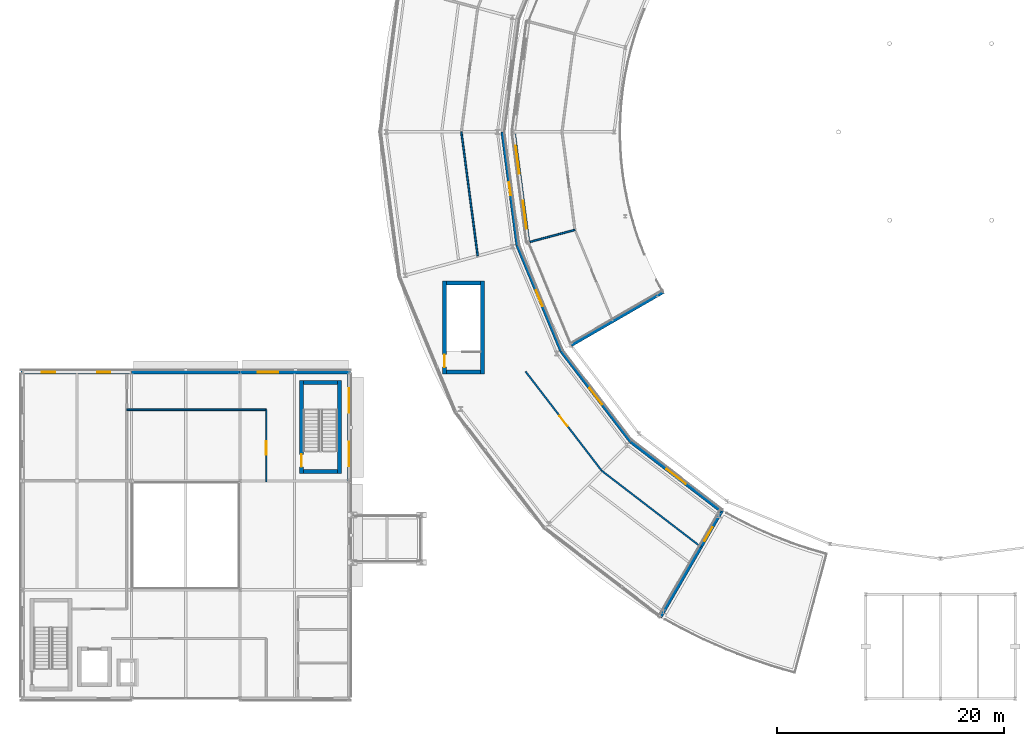
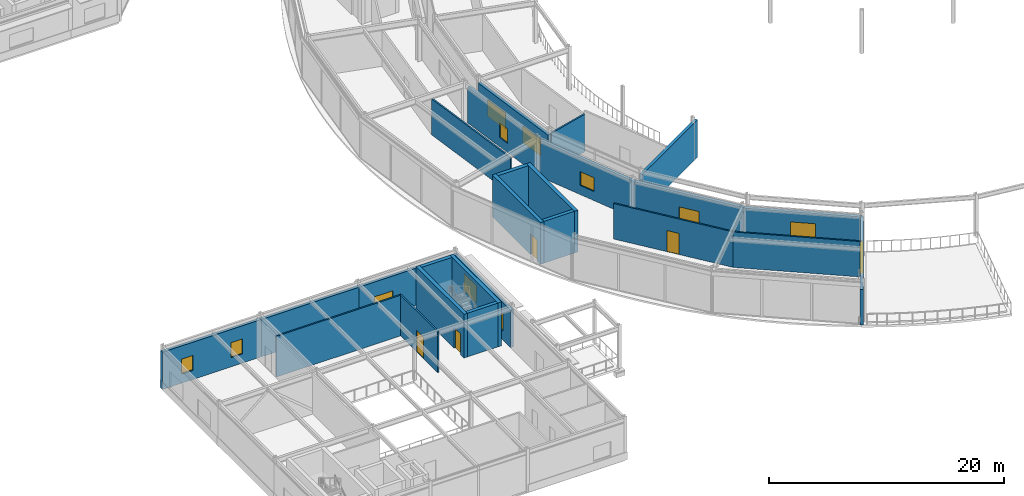
# One storey, part 117 of 157: 25 walls, 11 windows, 5 doors, 16 openings.
"""IFC4 building model written with IfcOpenShell, lengths in metres."""

from ifc_helpers import new_model, si_unit, direction, frame, frame_2d, origin, place, context, subcontext, project, spatial, rectangle, extrude, material, layer, layer_set, type_object, element, fill, save


model = new_model("IFC4")

# Units and contexts
model_context = context("Model", 3, precision=1e-05, world=origin(), true_north=direction((0.0, 1.0)))
body_context = subcontext(model_context, "Body", "Model", "MODEL_VIEW")
ifc_project = project(units=[si_unit("LENGTHUNIT", "METRE"), si_unit("AREAUNIT", "SQUARE_METRE"), si_unit("VOLUMEUNIT", "CUBIC_METRE"), si_unit("PLANEANGLEUNIT", "RADIAN"), si_unit("MASSUNIT", "GRAM", prefix="KILO")], contexts=[model_context])

# Site, building, storey
site_placement = place(None, origin())
site = spatial("IfcSite", under=ifc_project, at=site_placement, CompositionType="ELEMENT")
building_placement = place(site_placement, origin())
building = spatial("IfcBuilding", under=site, at=building_placement, Name="Almandine Court Research Institute", CompositionType="ELEMENT")
storey_placement = place(building_placement, frame((0.0, 0.0, 5.25)))
storey = spatial("IfcBuildingStorey", under=building, at=storey_placement, Name="L01", CompositionType="ELEMENT", Elevation=5.25)

# Wall, openings, windows
ifc_material_1 = material(Name="Acoustic Lecture Pavilion Masonry Wall", Category="masonry")
ifc_layer_1 = layer(ifc_material_1, 0.31005859375)
ifc_layer_set_1 = layer_set([ifc_layer_1], Name="Acoustic Lecture Pavilion Masonry Wall")
wall_type_1 = type_object("IfcWallType", Name="Wall-EXT-ACOU-310", PredefinedType="SOLIDWALL", material=ifc_layer_set_1)
wall_1_placement = place(storey_placement, frame((5.844970703125, 34.800048828125, 0.0), z_axis=(0.0, 0.0, 1.0), x_axis=(1.0, 0.0, 0.0)))
wall_1 = element("IfcWall", 1, at=wall_1_placement, inside=storey, type_object=wall_type_1, Name="L01 Lecture Pavilion North Wall 1", PredefinedType="SOLIDWALL", context=body_context, shape_type="SweptSolid", body=[
    extrude(rectangle(XDim=9.7509765625, YDim=0.31005859375, at=frame_2d((4.87548828125, 0.0))), origin(), (0.0, 0.0, 1.0), 3.884033203125),
])
opening_1_placement = place(wall_1_placement, frame((1.85791015625, 0.0, 0.949951171875)))
opening_1 = element("IfcOpeningElement", 2, at=opening_1_placement, cuts=wall_1, Name="Opening WN-08", PredefinedType="OPENING", context=body_context, shape_type="SweptSolid", body=[
    extrude(rectangle(XDim=1.159912109375, YDim=1.56005859375, at=frame_2d((0.580078125, 0.780029296875))), frame((0.0, 0.1650390625, 0.0), z_axis=(0.0, -1.0, 0.0), x_axis=(1.0, 0.0, 0.0)), (0.0, 0.0, 1.0), 0.330078125),
])
opening_2_placement = place(wall_1_placement, frame((6.73291015625, 0.0, 0.949951171875)))
opening_2 = element("IfcOpeningElement", 3, at=opening_2_placement, cuts=wall_1, Name="Opening WN-08", PredefinedType="OPENING", context=body_context, shape_type="SweptSolid", body=[
    extrude(rectangle(XDim=1.159912109375, YDim=1.56005859375, at=frame_2d((0.580078125, 0.780029296875))), frame((0.0, 0.1650390625, 0.0), z_axis=(0.0, -1.0, 0.0), x_axis=(1.0, 0.0, 0.0)), (0.0, 0.0, 1.0), 0.330078125),
])
ifc_material_2 = material(Name="Thermally Broken Low-E Double-Glazed Window", Category="glass")
window_type_1 = type_object("IfcWindowType", Name="Win-WN-08-1160x1560", PartitioningType="SINGLE_PANEL", PredefinedType="WINDOW", material=ifc_material_2)
window_1_placement = place(opening_1_placement, origin())
window_1 = element("IfcWindow", 4, at=window_1_placement, inside=storey, type_object=window_type_1, Name="L01 Modular Recessed Low-E Window 14", OverallHeight=1.56005859375, OverallWidth=1.159912109375, PartitioningType="SINGLE_PANEL", PredefinedType="WINDOW", context=body_context, shape_type="SweptSolid", body=[
    extrude(rectangle(XDim=1.159912109375, YDim=1.56005859375, at=frame_2d((0.580078125, 0.780029296875))), frame((0.0, 0.030029296875, 0.0), z_axis=(0.0, -1.0, 0.0), x_axis=(1.0, 0.0, 0.0)), (0.0, 0.0, 1.0), 0.06005859375),
])
fill(opening_1, window_1)
window_2_placement = place(opening_2_placement, origin())
window_2 = element("IfcWindow", 5, at=window_2_placement, inside=storey, type_object=window_type_1, Name="L01 Modular Recessed Low-E Window 15", OverallHeight=1.56005859375, OverallWidth=1.159912109375, PartitioningType="SINGLE_PANEL", PredefinedType="WINDOW", context=body_context, shape_type="SweptSolid", body=[
    extrude(rectangle(XDim=1.159912109375, YDim=1.56005859375, at=frame_2d((0.580078125, 0.780029296875))), frame((0.0, 0.030029296875, 0.0), z_axis=(0.0, -1.0, 0.0), x_axis=(1.0, 0.0, 0.0)), (0.0, 0.0, 1.0), 0.06005859375),
])
fill(opening_2, window_2)

# Wall
wall_2_placement = place(storey_placement, frame((15.60400390625, 34.800048828125, 0.0), z_axis=(0.0, 0.0, 1.0), x_axis=(1.0, 0.0, 0.0)))
element("IfcWall", 6, at=wall_2_placement, inside=storey, type_object=wall_type_1, Name="L01 Lecture Pavilion North Wall 2", PredefinedType="SOLIDWALL", context=body_context, shape_type="SweptSolid", body=[
    extrude(rectangle(XDim=9.592041015625, YDim=0.31005859375, at=frame_2d((4.7958984375, 0.0))), origin(), (0.0, 0.0, 1.0), 3.884033203125),
])

# Wall, opening, window
wall_3_placement = place(storey_placement, frame((25.2041015625, 34.800048828125, 0.0), z_axis=(0.0, 0.0, 1.0), x_axis=(1.0, 0.0, 0.0)))
wall_3 = element("IfcWall", 7, at=wall_3_placement, inside=storey, type_object=wall_type_1, Name="L01 Lecture Pavilion North Wall 3", PredefinedType="SOLIDWALL", context=body_context, shape_type="SweptSolid", body=[
    extrude(rectangle(XDim=9.7509765625, YDim=0.31005859375, at=frame_2d((4.87548828125, 0.0))), origin(), (0.0, 0.0, 1.0), 3.884033203125),
])
opening_3_placement = place(wall_3_placement, frame((1.528076171875, 0.0, 0.949951171875)))
opening_3 = element("IfcOpeningElement", 8, at=opening_3_placement, cuts=wall_3, Name="Opening WN-09", PredefinedType="OPENING", context=body_context, shape_type="SweptSolid", body=[
    extrude(rectangle(XDim=1.820068359375, YDim=1.39990234375, at=frame_2d((0.91015625, 0.699951171875))), frame((0.0, 0.1650390625, 0.0), z_axis=(0.0, -1.0, 0.0), x_axis=(1.0, 0.0, 0.0)), (0.0, 0.0, 1.0), 0.330078125),
])
window_type_2 = type_object("IfcWindowType", Name="Win-WN-09-1820x1400", PartitioningType="SINGLE_PANEL", PredefinedType="WINDOW", material=ifc_material_2)
window_3_placement = place(opening_3_placement, origin())
window_3 = element("IfcWindow", 9, at=window_3_placement, inside=storey, type_object=window_type_2, Name="L01 Modular Recessed Low-E Window 16", OverallHeight=1.39990234375, OverallWidth=1.820068359375, PartitioningType="SINGLE_PANEL", PredefinedType="WINDOW", context=body_context, shape_type="SweptSolid", body=[
    extrude(rectangle(XDim=1.820068359375, YDim=1.39990234375, at=frame_2d((0.91015625, 0.699951171875))), frame((0.0, 0.030029296875, 0.0), z_axis=(0.0, -1.0, 0.0), x_axis=(1.0, 0.0, 0.0)), (0.0, 0.0, 1.0), 0.06005859375),
])
fill(opening_3, window_3)

# Wall, openings, windows
ifc_material_3 = material(Name="Insulated Ochre Terracotta Rainscreen Wall", Category="masonry")
ifc_layer_2 = layer(ifc_material_3, 0.2900390625)
ifc_layer_set_2 = layer_set([ifc_layer_2], Name="Insulated Ochre Terracotta Rainscreen Wall")
wall_type_2 = type_object("IfcWallType", Name="Wall-EXT-TERR-290", PredefinedType="SOLIDWALL", material=ifc_layer_set_2)
wall_4_placement = place(storey_placement, frame((34.800048828125, 34.65087890625, 0.0), z_axis=(0.0, 0.0, 1.0), x_axis=(0.0, -1.0, 0.0)))
wall_4 = element("IfcWall", 10, at=wall_4_placement, inside=storey, type_object=wall_type_2, Name="L01 Lecture Pavilion East Wall 3", PredefinedType="SOLIDWALL", context=body_context, shape_type="SweptSolid", body=[
    extrude(rectangle(XDim=9.44677734375, YDim=0.2900390625, at=frame_2d((4.723388671875, 0.0))), origin(), (0.0, 0.0, 1.0), 3.884033203125),
])
opening_4_placement = place(wall_4_placement, frame((1.287109375, 0.0, 0.949951171875)))
opening_4 = element("IfcOpeningElement", 11, at=opening_4_placement, cuts=wall_4, Name="Opening WN-10", PredefinedType="OPENING", context=body_context, shape_type="SweptSolid", body=[
    extrude(rectangle(XDim=2.14990234375, YDim=1.800048828125, at=frame_2d((1.074951171875, 0.89990234375))), frame((0.0, 0.155029296875, 0.0), z_axis=(0.0, -1.0, 0.0), x_axis=(1.0, 0.0, 0.0)), (0.0, 0.0, 1.0), 0.31005859375),
])
opening_5_placement = place(wall_4_placement, frame((6.010009765625, 0.0, 0.949951171875)))
opening_5 = element("IfcOpeningElement", 12, at=opening_5_placement, cuts=wall_4, Name="Opening WN-10", PredefinedType="OPENING", context=body_context, shape_type="SweptSolid", body=[
    extrude(rectangle(XDim=2.14990234375, YDim=1.800048828125, at=frame_2d((1.074951171875, 0.89990234375))), frame((0.0, 0.155029296875, 0.0), z_axis=(0.0, -1.0, 0.0), x_axis=(1.0, 0.0, 0.0)), (0.0, 0.0, 1.0), 0.31005859375),
])
window_type_3 = type_object("IfcWindowType", Name="Win-WN-10-2150x1800", PartitioningType="SINGLE_PANEL", PredefinedType="WINDOW", material=ifc_material_2)
window_4_placement = place(opening_4_placement, origin())
window_4 = element("IfcWindow", 13, at=window_4_placement, inside=storey, type_object=window_type_3, Name="L01 Modular Recessed Low-E Window 17", OverallHeight=1.800048828125, OverallWidth=2.14990234375, PartitioningType="SINGLE_PANEL", PredefinedType="WINDOW", context=body_context, shape_type="SweptSolid", body=[
    extrude(rectangle(XDim=2.14990234375, YDim=1.800048828125, at=frame_2d((1.074951171875, 0.89990234375))), frame((0.0, 0.030029296875, 0.0), z_axis=(0.0, -1.0, 0.0), x_axis=(1.0, 0.0, 0.0)), (0.0, 0.0, 1.0), 0.06005859375),
])
fill(opening_4, window_4)
window_5_placement = place(opening_5_placement, origin())
window_5 = element("IfcWindow", 14, at=window_5_placement, inside=storey, type_object=window_type_3, Name="L01 Modular Recessed Low-E Window 18", OverallHeight=1.800048828125, OverallWidth=2.14990234375, PartitioningType="SINGLE_PANEL", PredefinedType="WINDOW", context=body_context, shape_type="SweptSolid", body=[
    extrude(rectangle(XDim=2.14990234375, YDim=1.800048828125, at=frame_2d((1.074951171875, 0.89990234375))), frame((0.0, 0.030029296875, 0.0), z_axis=(0.0, -1.0, 0.0), x_axis=(1.0, 0.0, 0.0)), (0.0, 0.0, 1.0), 0.06005859375),
])
fill(opening_5, window_5)

# Wall, opening, window
wall_5_placement = place(storey_placement, frame((48.341064453125, 55.993896484375, 0.0), z_axis=(0.0, 0.0, 1.0), x_axis=(0.130450126879, -0.991454872597, 0.0)))
wall_5 = element("IfcWall", 15, at=wall_5_placement, inside=storey, type_object=wall_type_2, Name="L01 Drum Inner Gallery Wall 12", PredefinedType="SOLIDWALL", context=body_context, shape_type="SweptSolid", body=[
    extrude(rectangle(XDim=10.080078125, YDim=0.2900390625, at=frame_2d((5.0400390625, 0.0))), origin(), (0.0, 0.0, 1.0), 3.73193359375),
])
opening_6_placement = place(wall_5_placement, frame((4.4599609375, 0.0, 0.949951171875)))
opening_6 = element("IfcOpeningElement", 16, at=opening_6_placement, cuts=wall_5, Name="Opening WN-100", PredefinedType="OPENING", context=body_context, shape_type="SweptSolid", body=[
    extrude(rectangle(XDim=1.159912109375, YDim=1.510009765625, at=frame_2d((0.580078125, 0.7548828125))), frame((0.0, 0.155029296875, 0.0), z_axis=(0.0, -1.0, 0.0), x_axis=(1.0, 0.0, 0.0)), (0.0, 0.0, 1.0), 0.31005859375),
])
window_type_4 = type_object("IfcWindowType", Name="Win-WN-100-1160x1510", PartitioningType="SINGLE_PANEL", PredefinedType="WINDOW", material=ifc_material_2)
window_6_placement = place(opening_6_placement, origin())
window_6 = element("IfcWindow", 17, at=window_6_placement, inside=storey, type_object=window_type_4, Name="L01 Modular Recessed Low-E Window 254", OverallHeight=1.510009765625, OverallWidth=1.159912109375, PartitioningType="SINGLE_PANEL", PredefinedType="WINDOW", context=body_context, shape_type="SweptSolid", body=[
    extrude(rectangle(XDim=1.159912109375, YDim=1.510009765625, at=frame_2d((0.580078125, 0.7548828125))), frame((0.0, 0.030029296875, 0.0), z_axis=(0.0, -1.0, 0.0), x_axis=(1.0, 0.0, 0.0)), (0.0, 0.0, 1.0), 0.06005859375),
])
fill(opening_6, window_6)

wall_6_placement = place(storey_placement, frame((49.658935546875, 45.988037109375, 0.0), z_axis=(0.0, 0.0, 1.0), x_axis=(0.382733240508, -0.92385889973, 0.0)))
wall_6 = element("IfcWall", 18, at=wall_6_placement, inside=storey, type_object=wall_type_2, Name="L01 Drum Inner Gallery Wall 13", PredefinedType="SOLIDWALL", context=body_context, shape_type="SweptSolid", body=[
    extrude(rectangle(XDim=10.08056640625, YDim=0.2900390625, at=frame_2d((5.040283203125, 0.0))), origin(), (0.0, 0.0, 1.0), 3.81494140625),
])
opening_7_placement = place(wall_6_placement, frame((4.294921875, 0.0, 0.949951171875)))
opening_7 = element("IfcOpeningElement", 19, at=opening_7_placement, cuts=wall_6, Name="Opening WN-32", PredefinedType="OPENING", context=body_context, shape_type="SweptSolid", body=[
    extrude(rectangle(XDim=1.489990234375, YDim=1.429931640625, at=frame_2d((0.7451171875, 0.71484375))), frame((0.0, 0.155029296875, 0.0), z_axis=(0.0, -1.0, 0.0), x_axis=(1.0, 0.0, 0.0)), (0.0, 0.0, 1.0), 0.31005859375),
])
window_type_5 = type_object("IfcWindowType", Name="Win-WN-32-1490x1430", PartitioningType="SINGLE_PANEL", PredefinedType="WINDOW", material=ifc_material_2)
window_7_placement = place(opening_7_placement, origin())
window_7 = element("IfcWindow", 20, at=window_7_placement, inside=storey, type_object=window_type_5, Name="L01 Modular Recessed Low-E Window 255", OverallHeight=1.429931640625, OverallWidth=1.489990234375, PartitioningType="SINGLE_PANEL", PredefinedType="WINDOW", context=body_context, shape_type="SweptSolid", body=[
    extrude(rectangle(XDim=1.489990234375, YDim=1.429931640625, at=frame_2d((0.7451171875, 0.71484375))), frame((0.0, 0.030029296875, 0.0), z_axis=(0.0, -1.0, 0.0), x_axis=(1.0, 0.0, 0.0)), (0.0, 0.0, 1.0), 0.06005859375),
])
fill(opening_7, window_7)

wall_7_placement = place(storey_placement, frame((53.52294921875, 36.6650390625, 0.0), z_axis=(0.0, 0.0, 1.0), x_axis=(0.608737604027, -0.793371621275, 0.0)))
wall_7 = element("IfcWall", 21, at=wall_7_placement, inside=storey, type_object=wall_type_2, Name="L01 Drum Inner Gallery Wall 14", PredefinedType="SOLIDWALL", context=body_context, shape_type="SweptSolid", body=[
    extrude(rectangle(XDim=10.079833984375, YDim=0.2900390625, at=frame_2d((5.0400390625, 0.0))), origin(), (0.0, 0.0, 1.0), 3.81494140625),
])
opening_8_placement = place(wall_7_placement, frame((4.1298828125, 0.0, 0.949951171875)))
opening_8 = element("IfcOpeningElement", 22, at=opening_8_placement, cuts=wall_7, Name="Opening WN-116", PredefinedType="OPENING", context=body_context, shape_type="SweptSolid", body=[
    extrude(rectangle(XDim=1.820068359375, YDim=1.35009765625, at=frame_2d((0.91015625, 0.675048828125))), frame((0.0, 0.155029296875, 0.0), z_axis=(0.0, -1.0, 0.0), x_axis=(1.0, 0.0, 0.0)), (0.0, 0.0, 1.0), 0.31005859375),
])
window_type_6 = type_object("IfcWindowType", Name="Win-WN-116-1820x1350", PartitioningType="SINGLE_PANEL", PredefinedType="WINDOW", material=ifc_material_2)
window_8_placement = place(opening_8_placement, origin())
window_8 = element("IfcWindow", 23, at=window_8_placement, inside=storey, type_object=window_type_6, Name="L01 Modular Recessed Low-E Window 256", OverallHeight=1.35009765625, OverallWidth=1.820068359375, PartitioningType="SINGLE_PANEL", PredefinedType="WINDOW", context=body_context, shape_type="SweptSolid", body=[
    extrude(rectangle(XDim=1.820068359375, YDim=1.35009765625, at=frame_2d((0.91015625, 0.675048828125))), frame((0.0, 0.030029296875, 0.0), z_axis=(0.0, -1.0, 0.0), x_axis=(1.0, 0.0, 0.0)), (0.0, 0.0, 1.0), 0.06005859375),
])
fill(opening_8, window_8)

wall_8_placement = place(storey_placement, frame((59.66796875, 28.658935546875, 0.0), z_axis=(0.0, 0.0, 1.0), x_axis=(0.793371621275, -0.608737604027, 0.0)))
wall_8 = element("IfcWall", 24, at=wall_8_placement, inside=storey, type_object=wall_type_2, Name="L01 Drum Inner Gallery Wall 15", PredefinedType="SOLIDWALL", context=body_context, shape_type="SweptSolid", body=[
    extrude(rectangle(XDim=10.079833984375, YDim=0.2900390625, at=frame_2d((5.0400390625, 0.0))), origin(), (0.0, 0.0, 1.0), 3.76806640625),
])
opening_9_placement = place(wall_8_placement, frame((3.965087890625, 0.0, 0.949951171875)))
opening_9 = element("IfcOpeningElement", 25, at=opening_9_placement, cuts=wall_8, Name="Opening WN-101", PredefinedType="OPENING", context=body_context, shape_type="SweptSolid", body=[
    extrude(rectangle(XDim=2.14990234375, YDim=1.75, at=frame_2d((1.074951171875, 0.875))), frame((0.0, 0.155029296875, 0.0), z_axis=(0.0, -1.0, 0.0), x_axis=(1.0, 0.0, 0.0)), (0.0, 0.0, 1.0), 0.31005859375),
])
window_type_7 = type_object("IfcWindowType", Name="Win-WN-101-2150x1750", PartitioningType="SINGLE_PANEL", PredefinedType="WINDOW", material=ifc_material_2)
window_9_placement = place(opening_9_placement, origin())
window_9 = element("IfcWindow", 26, at=window_9_placement, inside=storey, type_object=window_type_7, Name="L01 Modular Recessed Low-E Window 257", OverallHeight=1.75, OverallWidth=2.14990234375, PartitioningType="SINGLE_PANEL", PredefinedType="WINDOW", context=body_context, shape_type="SweptSolid", body=[
    extrude(rectangle(XDim=2.14990234375, YDim=1.75, at=frame_2d((1.074951171875, 0.875))), frame((0.0, 0.030029296875, 0.0), z_axis=(0.0, -1.0, 0.0), x_axis=(1.0, 0.0, 0.0)), (0.0, 0.0, 1.0), 0.06005859375),
])
fill(opening_9, window_9)

# Wall, opening, door
wall_9_placement = place(storey_placement, frame((62.261962890625, 13.153076171875, 0.0), z_axis=(0.0, 0.0, 1.0), x_axis=(0.500037643518, 0.866003669198, 0.0)))
wall_9 = element("IfcWall", 27, at=wall_9_placement, inside=storey, type_object=wall_type_2, Name="L01 Drum Radial End Wall END", PredefinedType="SOLIDWALL", context=body_context, shape_type="SweptSolid", body=[
    extrude(rectangle(XDim=10.951416015625, YDim=0.2900390625, at=frame_2d((5.4755859375, 0.0))), origin(), (0.0, 0.0, 1.0), 3.68505859375),
])
opening_10_placement = place(wall_9_placement, frame((7.800048828125, 0.0, 0.0)))
opening_10 = element("IfcOpeningElement", 28, at=opening_10_placement, cuts=wall_9, Name="Opening TD-01", PredefinedType="OPENING", context=body_context, shape_type="SweptSolid", body=[
    extrude(rectangle(XDim=1.39990234375, YDim=2.199951171875, at=frame_2d((0.699951171875, 1.10009765625))), frame((0.0, 0.155029296875, 0.0), z_axis=(0.0, -1.0, 0.0), x_axis=(1.0, 0.0, 0.0)), (0.0, 0.0, 1.0), 0.31005859375),
])
ifc_material_4 = material(Name="Thermally Broken Glazed Terrace Door")
door_type_1 = type_object("IfcDoorType", Name="Door-TER-1400", OperationType="DOUBLE_DOOR_SINGLE_SWING", PredefinedType="DOOR", material=ifc_material_4)
door_1_placement = place(opening_10_placement, origin())
door_1 = element("IfcDoor", 29, at=door_1_placement, inside=storey, type_object=door_type_1, Name="L01 Drum END Stepped Ring Terrace Door", OperationType="DOUBLE_DOOR_SINGLE_SWING", OverallHeight=2.199951171875, OverallWidth=1.39990234375, PredefinedType="DOOR", context=body_context, shape_type="SweptSolid", body=[
    extrude(rectangle(XDim=1.39990234375, YDim=2.199951171875, at=frame_2d((0.699951171875, 1.10009765625))), frame((0.0, 0.02490234375, 0.0), z_axis=(0.0, -1.0, 0.0), x_axis=(1.0, 0.0, 0.0)), (0.0, 0.0, 1.0), 0.050048828125),
])
fill(opening_10, door_1)

# Wall, openings, windows
wall_10_placement = place(storey_placement, frame((50.632080078125, 46.259033203125, 0.0), z_axis=(0.0, 0.0, 1.0), x_axis=(-0.130435863969, 0.991456749128, 0.0)))
wall_10 = element("IfcWall", 30, at=wall_10_placement, inside=storey, type_object=wall_type_2, Name="L01 Interaction Atrium Perimeter Wall 12", PredefinedType="SOLIDWALL", context=body_context, shape_type="SweptSolid", body=[
    extrude(rectangle(XDim=9.821044921875, YDim=0.2900390625, at=frame_2d((4.91064453125, 0.0))), origin(), (0.0, 0.0, 1.0), 3.81005859375),
])
opening_11_placement = place(wall_10_placement, frame((1.215087890625, 0.0, 0.949951171875)))
opening_11 = element("IfcOpeningElement", 31, at=opening_11_placement, cuts=wall_10, Name="Opening WN-74", PredefinedType="OPENING", context=body_context, shape_type="SweptSolid", body=[
    extrude(rectangle(XDim=2.47998046875, YDim=1.719970703125, at=frame_2d((1.239990234375, 0.85986328125))), frame((0.0, 0.155029296875, 0.0), z_axis=(0.0, -1.0, 0.0), x_axis=(1.0, 0.0, 0.0)), (0.0, 0.0, 1.0), 0.31005859375),
])
opening_12_placement = place(wall_10_placement, frame((6.1259765625, 0.0, 0.949951171875)))
opening_12 = element("IfcOpeningElement", 32, at=opening_12_placement, cuts=wall_10, Name="Opening WN-74", PredefinedType="OPENING", context=body_context, shape_type="SweptSolid", body=[
    extrude(rectangle(XDim=2.47998046875, YDim=1.719970703125, at=frame_2d((1.239990234375, 0.85986328125))), frame((0.0, 0.155029296875, 0.0), z_axis=(0.0, -1.0, 0.0), x_axis=(1.0, 0.0, 0.0)), (0.0, 0.0, 1.0), 0.31005859375),
])
window_type_8 = type_object("IfcWindowType", Name="Win-WN-74-2480x1720", PartitioningType="SINGLE_PANEL", PredefinedType="WINDOW", material=ifc_material_2)
window_10_placement = place(opening_11_placement, origin())
window_10 = element("IfcWindow", 33, at=window_10_placement, inside=storey, type_object=window_type_8, Name="L01 Modular Recessed Low-E Window 354", OverallHeight=1.719970703125, OverallWidth=2.47998046875, PartitioningType="SINGLE_PANEL", PredefinedType="WINDOW", context=body_context, shape_type="SweptSolid", body=[
    extrude(rectangle(XDim=2.47998046875, YDim=1.719970703125, at=frame_2d((1.239990234375, 0.85986328125))), frame((0.0, 0.030029296875, 0.0), z_axis=(0.0, -1.0, 0.0), x_axis=(1.0, 0.0, 0.0)), (0.0, 0.0, 1.0), 0.06005859375),
])
fill(opening_11, window_10)
window_11_placement = place(opening_12_placement, origin())
window_11 = element("IfcWindow", 34, at=window_11_placement, inside=storey, type_object=window_type_8, Name="L01 Modular Recessed Low-E Window 355", OverallHeight=1.719970703125, OverallWidth=2.47998046875, PartitioningType="SINGLE_PANEL", PredefinedType="WINDOW", context=body_context, shape_type="SweptSolid", body=[
    extrude(rectangle(XDim=2.47998046875, YDim=1.719970703125, at=frame_2d((1.239990234375, 0.85986328125))), frame((0.0, 0.030029296875, 0.0), z_axis=(0.0, -1.0, 0.0), x_axis=(1.0, 0.0, 0.0)), (0.0, 0.0, 1.0), 0.06005859375),
])
fill(opening_12, window_11)

# Wall
wall_11_placement = place(storey_placement, frame((54.4150390625, 37.18701171875, 0.0), z_axis=(0.0, 0.0, 1.0), x_axis=(0.866014767649, 0.500018421874, 0.0)))
element("IfcWall", 35, at=wall_11_placement, inside=storey, type_object=wall_type_2, Name="L01 Atrium Gallery End Wall END", PredefinedType="SOLIDWALL", context=body_context, shape_type="SweptSolid", body=[
    extrude(rectangle(XDim=9.401611328125, YDim=0.2900390625, at=frame_2d((4.70068359375, 0.0))), origin(), (0.0, 0.0, 1.0), 3.89306640625),
])

# Wall, opening, door
ifc_material_5 = material(Name="Acoustic Steel-Stud Gypsum Partition Wall", Category="steel")
ifc_layer_3 = layer(ifc_material_5, 0.14990234375)
ifc_layer_set_3 = layer_set([ifc_layer_3], Name="Acoustic Steel-Stud Gypsum Partition Wall")
wall_type_3 = type_object("IfcWallType", Name="Wall-PART-150", PredefinedType="PARTITIONING", material=ifc_layer_set_3)
wall_12_placement = place(storey_placement, frame((27.5, 25.10009765625, 0.0), z_axis=(0.0, 0.0, 1.0), x_axis=(0.0, 1.0, 0.0)))
wall_12 = element("IfcWall", 36, at=wall_12_placement, inside=storey, type_object=wall_type_3, Name="L01 Interior Partition W-V1-L01-BAL", PredefinedType="PARTITIONING", context=body_context, shape_type="SweptSolid", body=[
    extrude(rectangle(XDim=6.39990234375, YDim=0.14990234375, at=frame_2d((3.199951171875, 0.0))), origin(), (0.0, 0.0, 1.0), 4.22998046875),
])
opening_13_placement = place(wall_12_placement, frame((2.39990234375, 0.0, 0.0)))
opening_13 = element("IfcOpeningElement", 37, at=opening_13_placement, cuts=wall_12, Name="Opening D-04", PredefinedType="OPENING", context=body_context, shape_type="SweptSolid", body=[
    extrude(rectangle(XDim=1.199951171875, YDim=2.199951171875, at=frame_2d((0.60009765625, 1.10009765625))), frame((0.0, 0.0849609375, 0.0), z_axis=(0.0, -1.0, 0.0), x_axis=(1.0, 0.0, 0.0)), (0.0, 0.0, 1.0), 0.169921875),
])
ifc_material_6 = material(Name="Wide Acoustic Laboratory Suite Door")
door_type_2 = type_object("IfcDoorType", Name="Door-INT-1200", OperationType="NOTDEFINED", PredefinedType="DOOR", material=ifc_material_6)
door_2_placement = place(opening_13_placement, origin())
door_2 = element("IfcDoor", 38, at=door_2_placement, inside=storey, type_object=door_type_2, Name="L01 Lecture Balcony Door", OperationType="SINGLE_SWING_RIGHT", OverallHeight=2.199951171875, OverallWidth=1.199951171875, PredefinedType="DOOR", context=body_context, shape_type="SweptSolid", body=[
    extrude(rectangle(XDim=1.199951171875, YDim=2.199951171875, at=frame_2d((0.60009765625, 1.10009765625))), frame((0.0, 0.02490234375, 0.0), z_axis=(0.0, -1.0, 0.0), x_axis=(1.0, 0.0, 0.0)), (0.0, 0.0, 1.0), 0.050048828125),
])
fill(opening_13, door_2)

# Walls
wall_13_placement = place(storey_placement, frame((15.199951171875, 31.47998046875, 0.0), z_axis=(0.0, 0.0, 1.0), x_axis=(1.0, 0.0, 0.0)))
element("IfcWall", 39, at=wall_13_placement, inside=storey, type_object=wall_type_3, Name="L01 Interior Partition W-V1-L01-BALN", PredefinedType="PARTITIONING", context=body_context, shape_type="SweptSolid", body=[
    extrude(rectangle(XDim=12.320068359375, YDim=0.14990234375, at=frame_2d((6.16015625, 0.0))), origin(), (0.0, 0.0, 1.0), 4.22998046875),
])
wall_14_placement = place(storey_placement, frame((44.719970703125, 56.0, 0.0), z_axis=(0.0, 0.0, 1.0), x_axis=(0.130546632054, -0.991442170204, 0.0)))
element("IfcWall", 40, at=wall_14_placement, inside=storey, type_object=wall_type_3, Name="L01 Interior Partition W-V5-L01-CHD-12", PredefinedType="PARTITIONING", context=body_context, shape_type="SweptSolid", body=[
    extrude(rectangle(XDim=11.03759765625, YDim=0.14990234375, at=frame_2d((5.518798828125, 0.0))), origin(), (0.0, 0.0, 1.0), 3.737060546875),
])

# Wall, opening, door
wall_15_placement = place(storey_placement, frame((50.384033203125, 34.860107421875, 0.0), z_axis=(0.0, 0.0, 1.0), x_axis=(0.608828497024, -0.793301872689, 0.0)))
wall_15 = element("IfcWall", 41, at=wall_15_placement, inside=storey, type_object=wall_type_3, Name="L01 Interior Partition W-V5-L01-CHD-14", PredefinedType="PARTITIONING", context=body_context, shape_type="SweptSolid", body=[
    extrude(rectangle(XDim=11.03759765625, YDim=0.14990234375, at=frame_2d((5.518798828125, 0.0))), origin(), (0.0, 0.0, 1.0), 3.68994140625),
])
opening_14_placement = place(wall_15_placement, frame((4.949951171875, 0.0, 0.0)))
opening_14 = element("IfcOpeningElement", 42, at=opening_14_placement, cuts=wall_15, Name="Opening D-03", PredefinedType="OPENING", context=body_context, shape_type="SweptSolid", body=[
    extrude(rectangle(XDim=1.10009765625, YDim=2.199951171875, at=frame_2d((0.550048828125, 1.10009765625))), frame((0.0, 0.0849609375, 0.0), z_axis=(0.0, -1.0, 0.0), x_axis=(1.0, 0.0, 0.0)), (0.0, 0.0, 1.0), 0.169921875),
])
ifc_material_7 = material(Name="Acoustic Vision-Panel Seminar Door")
door_type_3 = type_object("IfcDoorType", Name="Door-INT-1100", OperationType="NOTDEFINED", PredefinedType="DOOR", material=ifc_material_7)
door_3_placement = place(opening_14_placement, origin())
door_3 = element("IfcDoor", 43, at=door_3_placement, inside=storey, type_object=door_type_3, Name="L01 Drum Write-up Office Door", OperationType="SINGLE_SWING_RIGHT", OverallHeight=2.199951171875, OverallWidth=1.10009765625, PredefinedType="DOOR", context=body_context, shape_type="SweptSolid", body=[
    extrude(rectangle(XDim=1.10009765625, YDim=2.199951171875, at=frame_2d((0.550048828125, 1.10009765625))), frame((0.0, 0.02490234375, 0.0), z_axis=(0.0, -1.0, 0.0), x_axis=(1.0, 0.0, 0.0)), (0.0, 0.0, 1.0), 0.050048828125),
])
fill(opening_14, door_3)

# Walls
wall_16_placement = place(storey_placement, frame((57.10400390625, 26.10400390625, 0.0), z_axis=(0.0, 0.0, 1.0), x_axis=(0.793301872689, -0.608828497024, 0.0)))
element("IfcWall", 44, at=wall_16_placement, inside=storey, type_object=wall_type_3, Name="L01 Interior Partition W-V5-L01-CHD-15", PredefinedType="PARTITIONING", context=body_context, shape_type="SweptSolid", body=[
    extrude(rectangle(XDim=11.03759765625, YDim=0.14990234375, at=frame_2d((5.518798828125, 0.0))), origin(), (0.0, 0.0, 1.0), 3.68994140625),
])
wall_17_placement = place(storey_placement, frame((54.738037109375, 47.35498046875, 0.0), z_axis=(0.0, 0.0, 1.0), x_axis=(-0.965929354699, -0.258805876538, 0.0)))
element("IfcWall", 45, at=wall_17_placement, inside=storey, type_object=wall_type_3, Name="L01 Interior Partition W-V2-L01-RAD-13", PredefinedType="PARTITIONING", context=body_context, shape_type="SweptSolid", body=[
    extrude(rectangle(XDim=4.079833984375, YDim=0.14990234375, at=frame_2d((2.0400390625, 0.0))), origin(), (0.0, 0.0, 1.0), 3.89697265625),
])

# Wall, opening, door
ifc_material_8 = material(Name="Concrete C40/50", Category="concrete")
ifc_layer_4 = layer(ifc_material_8, 0.35009765625)
ifc_layer_set_4 = layer_set([ifc_layer_4], Name="Concrete C40/50")
wall_type_4 = type_object("IfcWallType", Name="Wall-SW-CORE-350", PredefinedType="SHEAR", material=ifc_layer_set_4)
wall_18_placement = place(storey_placement, frame((30.625, 25.85009765625, 0.0), z_axis=(0.0, 0.0, 1.0), x_axis=(0.0, 1.0, 0.0)))
wall_18 = element("IfcWall", 46, at=wall_18_placement, inside=storey, type_object=wall_type_4, Name="L01 ST-02 W Shear Wall", PredefinedType="SHEAR", context=body_context, shape_type="SweptSolid", body=[
    extrude(rectangle(XDim=8.199951171875, YDim=0.35009765625, at=frame_2d((4.10009765625, 0.0))), origin(), (0.0, 0.0, 1.0), 4.550048828125),
])
opening_15_placement = place(wall_18_placement, frame((0.60009765625, 0.0, 0.0)))
opening_15 = element("IfcOpeningElement", 47, at=opening_15_placement, cuts=wall_18, Name="Opening FD-STAIR", PredefinedType="OPENING", context=body_context, shape_type="SweptSolid", body=[
    extrude(rectangle(XDim=1.10009765625, YDim=2.14990234375, at=frame_2d((0.550048828125, 1.074951171875))), frame((0.0, 0.18505859375, 0.0), z_axis=(0.0, -1.0, 0.0), x_axis=(1.0, 0.0, 0.0)), (0.0, 0.0, 1.0), 0.3701171875),
])
ifc_material_9 = material(Name="Self-Closing Steel Exit Stair Fire Door", Category="steel")
door_type_4 = type_object("IfcDoorType", Name="Door-FD-STAIR-1100", OperationType="NOTDEFINED", PredefinedType="DOOR", material=ifc_material_9)
door_4_placement = place(opening_15_placement, origin())
door_4 = element("IfcDoor", 48, at=door_4_placement, inside=storey, type_object=door_type_4, Name="L01 Exit Stair ST-02 Fire Door", OperationType="SINGLE_SWING_RIGHT", OverallHeight=2.14990234375, OverallWidth=1.10009765625, PredefinedType="DOOR", context=body_context, shape_type="SweptSolid", body=[
    extrude(rectangle(XDim=1.10009765625, YDim=2.14990234375, at=frame_2d((0.550048828125, 1.074951171875))), frame((0.0, 0.02490234375, 0.0), z_axis=(0.0, -1.0, 0.0), x_axis=(1.0, 0.0, 0.0)), (0.0, 0.0, 1.0), 0.050048828125),
])
fill(opening_15, door_4)

# Walls
wall_19_placement = place(storey_placement, frame((30.800048828125, 33.875, 0.0), z_axis=(0.0, 0.0, 1.0), x_axis=(1.0, 0.0, 0.0)))
element("IfcWall", 49, at=wall_19_placement, inside=storey, type_object=wall_type_4, Name="L01 ST-02 N Shear Wall", PredefinedType="SHEAR", context=body_context, shape_type="SweptSolid", body=[
    extrude(rectangle(XDim=3.0, YDim=0.35009765625, at=frame_2d((1.5, 0.0))), origin(), (0.0, 0.0, 1.0), 4.550048828125),
])
wall_20_placement = place(storey_placement, frame((33.97509765625, 34.050048828125, 0.0), z_axis=(0.0, 0.0, 1.0), x_axis=(0.0, -1.0, 0.0)))
element("IfcWall", 50, at=wall_20_placement, inside=storey, type_object=wall_type_4, Name="L01 ST-02 E Shear Wall", PredefinedType="SHEAR", context=body_context, shape_type="SweptSolid", body=[
    extrude(rectangle(XDim=8.199951171875, YDim=0.35009765625, at=frame_2d((4.10009765625, 0.0))), origin(), (0.0, 0.0, 1.0), 4.550048828125),
])
wall_21_placement = place(storey_placement, frame((33.800048828125, 26.02490234375, 0.0), z_axis=(0.0, 0.0, 1.0), x_axis=(-1.0, 0.0, 0.0)))
element("IfcWall", 51, at=wall_21_placement, inside=storey, type_object=wall_type_4, Name="L01 ST-02 S Shear Wall", PredefinedType="SHEAR", context=body_context, shape_type="SweptSolid", body=[
    extrude(rectangle(XDim=3.0, YDim=0.35009765625, at=frame_2d((1.5, 0.0))), origin(), (0.0, 0.0, 1.0), 4.550048828125),
])

# Wall, opening, door
wall_22_placement = place(storey_placement, frame((43.22509765625, 34.64990234375, 0.0), z_axis=(0.0, 0.0, 1.0), x_axis=(0.0, 1.0, 0.0)))
wall_22 = element("IfcWall", 52, at=wall_22_placement, inside=storey, type_object=wall_type_4, Name="L01 ST-17 W Shear Wall", PredefinedType="SHEAR", context=body_context, shape_type="SweptSolid", body=[
    extrude(rectangle(XDim=8.2001953125, YDim=0.35009765625, at=frame_2d((4.10009765625, 0.0))), origin(), (0.0, 0.0, 1.0), 4.35009765625),
])
opening_16_placement = place(wall_22_placement, frame((0.60009765625, 0.0, 0.0)))
opening_16 = element("IfcOpeningElement", 53, at=opening_16_placement, cuts=wall_22, Name="Opening FD-STAIR", PredefinedType="OPENING", context=body_context, shape_type="SweptSolid", body=[
    extrude(rectangle(XDim=1.10009765625, YDim=2.14990234375, at=frame_2d((0.550048828125, 1.074951171875))), frame((0.0, 0.18505859375, 0.0), z_axis=(0.0, -1.0, 0.0), x_axis=(1.0, 0.0, 0.0)), (0.0, 0.0, 1.0), 0.3701171875),
])
door_5_placement = place(opening_16_placement, origin())
door_5 = element("IfcDoor", 54, at=door_5_placement, inside=storey, type_object=door_type_4, Name="L01 Exit Stair ST-17 Fire Door", OperationType="SINGLE_SWING_LEFT", OverallHeight=2.14990234375, OverallWidth=1.10009765625, PredefinedType="DOOR", context=body_context, shape_type="SweptSolid", body=[
    extrude(rectangle(XDim=1.10009765625, YDim=2.14990234375, at=frame_2d((0.550048828125, 1.074951171875))), frame((0.0, 0.02490234375, 0.0), z_axis=(0.0, -1.0, 0.0), x_axis=(1.0, 0.0, 0.0)), (0.0, 0.0, 1.0), 0.050048828125),
])
fill(opening_16, door_5)

# Walls
wall_23_placement = place(storey_placement, frame((43.39990234375, 42.675048828125, 0.0), z_axis=(0.0, 0.0, 1.0), x_axis=(1.0, 0.0, 0.0)))
element("IfcWall", 55, at=wall_23_placement, inside=storey, type_object=wall_type_4, Name="L01 ST-17 N Shear Wall", PredefinedType="SHEAR", context=body_context, shape_type="SweptSolid", body=[
    extrude(rectangle(XDim=3.0, YDim=0.35009765625, at=frame_2d((1.5, 0.0))), origin(), (0.0, 0.0, 1.0), 4.35009765625),
])
wall_24_placement = place(storey_placement, frame((46.574951171875, 42.85009765625, 0.0), z_axis=(0.0, 0.0, 1.0), x_axis=(0.0, -1.0, 0.0)))
element("IfcWall", 56, at=wall_24_placement, inside=storey, type_object=wall_type_4, Name="L01 ST-17 E Shear Wall", PredefinedType="SHEAR", context=body_context, shape_type="SweptSolid", body=[
    extrude(rectangle(XDim=8.2001953125, YDim=0.35009765625, at=frame_2d((4.10009765625, 0.0))), origin(), (0.0, 0.0, 1.0), 4.35009765625),
])
wall_25_placement = place(storey_placement, frame((46.39990234375, 34.824951171875, 0.0), z_axis=(0.0, 0.0, 1.0), x_axis=(-1.0, 0.0, 0.0)))
element("IfcWall", 57, at=wall_25_placement, inside=storey, type_object=wall_type_4, Name="L01 ST-17 S Shear Wall", PredefinedType="SHEAR", context=body_context, shape_type="SweptSolid", body=[
    extrude(rectangle(XDim=3.0, YDim=0.35009765625, at=frame_2d((1.5, 0.0))), origin(), (0.0, 0.0, 1.0), 4.35009765625),
])

save(model, "model.ifc")
